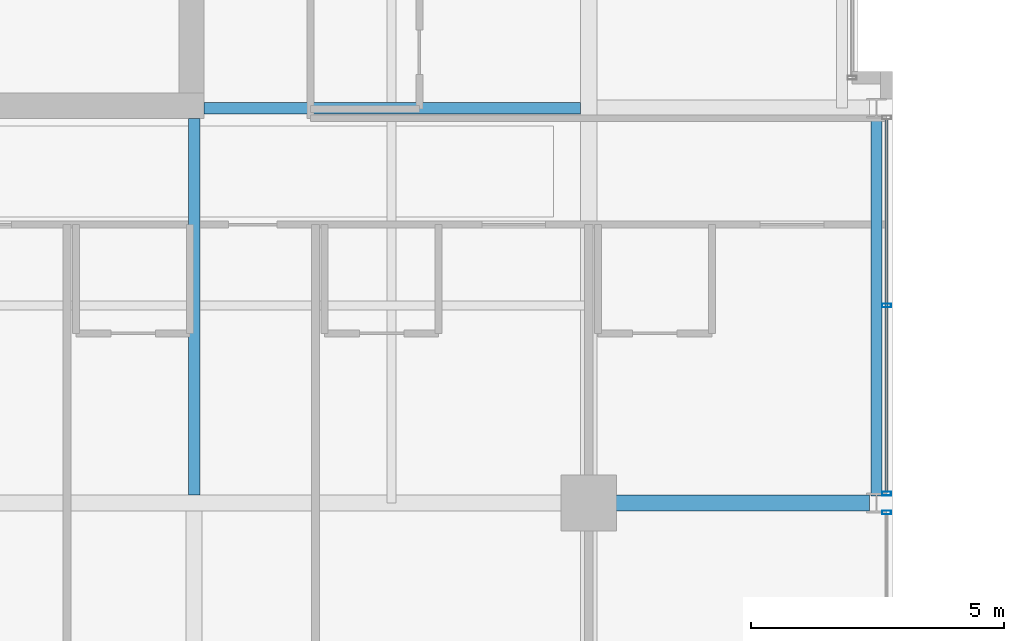
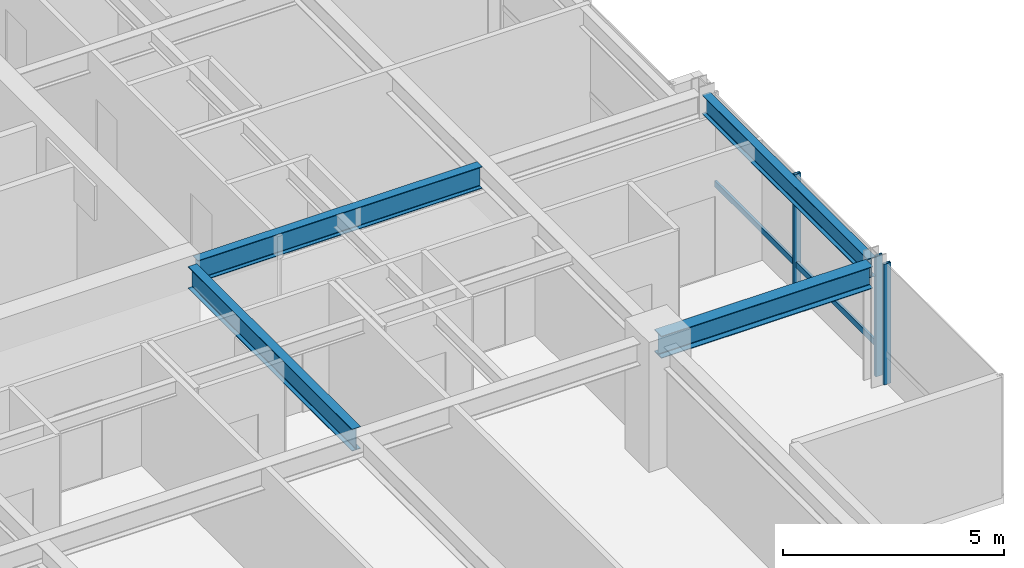
# One storey, part 12 of 32: 4 beams, 4 members, 2 elements without a shape of their own.
"""IFC4 building model written with IfcOpenShell, lengths in metres."""

from ifc_helpers import new_model, si_unit, direction, frame, origin, origin_2d, place, context, subcontext, project, spatial, hollow_rectangle, i_section, extrude, material, layer, layer_set, material_profile, profile_set, type_object, element, aggregate, save


model = new_model("IFC4")

# Units and contexts
model_context = context("Model", 3, precision=1e-05, world=origin(), true_north=direction((0.0, 1.0)))
body_context = subcontext(model_context, "Body", "Model", "MODEL_VIEW")
ifc_project = project(units=[si_unit("LENGTHUNIT", "METRE"), si_unit("AREAUNIT", "SQUARE_METRE"), si_unit("VOLUMEUNIT", "CUBIC_METRE"), si_unit("PLANEANGLEUNIT", "RADIAN"), si_unit("MASSUNIT", "GRAM", prefix="KILO")], contexts=[model_context])

# Site, building, storey
site_placement = place(None, origin())
site = spatial("IfcSite", under=ifc_project, at=site_placement, CompositionType="ELEMENT")
building_placement = place(site_placement, origin())
building = spatial("IfcBuilding", under=site, at=building_placement, Name="Drelvath Grand Hotel", CompositionType="ELEMENT")
storey_placement = place(building_placement, frame((0.0, 0.0, 205.10009765625)))
storey = spatial("IfcBuildingStorey", under=building, at=storey_placement, Name="L53", CompositionType="ELEMENT", Elevation=205.10009765625)

# Curtain wall, member
ifc_material_1 = material(Name="Platinum-Mist Anodised Aluminium Frame", Category="aluminium")
ifc_layer = layer(ifc_material_1, 0.199951171875)
ifc_layer_set = layer_set([ifc_layer], Name="Platinum-Mist Anodised Aluminium Frame")
curtain_wall_type = type_object("IfcCurtainWallType", Name="Stick Curtain Wall CW-05 Platinum Mist High-Rise", PredefinedType="NOTDEFINED", material=ifc_layer_set)
curtain_wall_1_placement = place(storey_placement, origin())
curtain_wall_1 = element("IfcCurtainWall", 1, at=curtain_wall_1_placement, inside=storey, type_object=curtain_wall_type, Name="L53 CW-05 Curtain Wall CW05-L53-ES2", PredefinedType="NOTDEFINED")
ifc_material_profile_1 = material_profile(ifc_material_1, hollow_rectangle(XDim=0.06494140625, YDim=0.159912109375, WallThickness=0.00390625, at=origin_2d()), Name="HSS160X65X4")
ifc_profile_set_1 = profile_set([ifc_material_profile_1], Name="Platinum-Mist Anodised Aluminium Frame")
member_type_1 = type_object("IfcMemberType", Name="Curtain Wall Horizontal Transom CW-05 HSS160X65X4", PredefinedType="USERDEFINED", material=ifc_profile_set_1)
member_1_placement = place(storey_placement, frame((22.080078125, 18.374755859375, 0.8349609375), z_axis=(0.0, -1.0, 0.0), x_axis=(1.0, 0.0, 0.0)))
member_1 = element("IfcMember", 2, at=member_1_placement, type_object=member_type_1, Name="CW05-L53-ES2 Sill Transom", ObjectType="TRANSOM", PredefinedType="USERDEFINED", context=body_context, shape_type="SweptSolid", body=[
    extrude(hollow_rectangle(XDim=0.06494140625, YDim=0.159912109375, WallThickness=0.00390625, at=origin_2d()), origin(), (0.0, 0.0, 1.0), 7.349365234375),
])

curtain_wall_2_placement = place(storey_placement, origin())
curtain_wall_2 = element("IfcCurtainWall", 3, at=curtain_wall_2_placement, inside=storey, type_object=curtain_wall_type, Name="L53 CW-05 Curtain Wall CW05-L53-ES1", PredefinedType="NOTDEFINED")
ifc_material_profile_2 = material_profile(ifc_material_1, hollow_rectangle(XDim=0.074951171875, YDim=0.179931640625, WallThickness=0.0048828125, at=origin_2d()), Name="HSS180X75X5")
ifc_profile_set_2 = profile_set([ifc_material_profile_2], Name="Platinum-Mist Anodised Aluminium Frame")
member_type_2 = type_object("IfcMemberType", Name="Curtain Wall Vertical Mullion CW-05 HSS180X75X5", PredefinedType="MULLION", material=ifc_profile_set_2)
member_2_placement = place(storey_placement, frame((22.080078125, 10.61474609375, 0.0), z_axis=(0.0, 0.0, 1.0), x_axis=(0.0, 1.0, 0.0)))
member_2 = element("IfcMember", 4, at=member_2_placement, type_object=member_type_2, Name="CW05-L53-ES1 Mullion 1", PredefinedType="MULLION", context=body_context, shape_type="SweptSolid", body=[
    extrude(hollow_rectangle(XDim=0.074951171875, YDim=0.179931640625, WallThickness=0.0048828125, at=origin_2d()), origin(), (0.0, 0.0, 1.0), 3.33984375),
])
aggregate(curtain_wall_2, [member_2])

# Member
member_3_placement = place(storey_placement, frame((22.080078125, 14.699951171875, 0.0), z_axis=(0.0, 0.0, 1.0), x_axis=(0.0, 1.0, 0.0)))
member_3 = element("IfcMember", 5, at=member_3_placement, type_object=member_type_2, Name="CW05-L53-ES2 Mullion 2", PredefinedType="MULLION", context=body_context, shape_type="SweptSolid", body=[
    extrude(hollow_rectangle(XDim=0.074951171875, YDim=0.179931640625, WallThickness=0.0048828125, at=origin_2d()), origin(), (0.0, 0.0, 1.0), 3.33984375),
])

member_4_placement = place(storey_placement, frame((22.080078125, 10.9853515625, 0.0), z_axis=(0.0, 0.0, 1.0), x_axis=(0.0, 1.0, 0.0)))
member_4 = element("IfcMember", 6, at=member_4_placement, type_object=member_type_2, Name="CW05-L53-ES2 Mullion 3", PredefinedType="MULLION", context=body_context, shape_type="SweptSolid", body=[
    extrude(hollow_rectangle(XDim=0.074951171875, YDim=0.179931640625, WallThickness=0.0048828125, at=origin_2d()), origin(), (0.0, 0.0, 1.0), 3.33984375),
])

aggregate(curtain_wall_1, [member_3, member_4, member_1])

# Beams
ifc_material_2 = material(Name="Steel ASTM A992 Gr 50", Category="steel")
ifc_material_profile_3 = material_profile(ifc_material_2, i_section(OverallWidth=0.210205078125, OverallDepth=0.53662109375, WebThickness=0.010986328125, FlangeThickness=0.017333984375, FilletRadius=0.01806640625, at=origin_2d()), Name="W21X68")
ifc_profile_set_3 = profile_set([ifc_material_profile_3], Name="Steel ASTM A992 Gr 50")
beam_type_1 = type_object("IfcBeamType", Name="Perimeter Spandrel Beam W21X68", PredefinedType="SPANDREL", material=ifc_profile_set_3)
beam_1_placement = place(storey_placement, frame((21.8798828125, 10.93994140625, 3.071533203125), z_axis=(0.0, 1.0, 0.0), x_axis=(-1.0, 0.0, 0.0)))
element("IfcBeam", 7, at=beam_1_placement, inside=storey, type_object=beam_type_1, Name="L53 Spandrel East S", PredefinedType="SPANDREL", context=body_context, shape_type="SweptSolid", body=[
    extrude(i_section(OverallWidth=0.210205078125, OverallDepth=0.53662109375, WebThickness=0.010986328125, FlangeThickness=0.017333984375, FilletRadius=0.01806640625, at=origin_2d()), origin(), (0.0, 0.0, 1.0), 7.52001953125),
])
ifc_material_profile_4 = material_profile(ifc_material_2, i_section(OverallWidth=0.323974609375, OverallDepth=0.611083984375, WebThickness=0.0126953125, FlangeThickness=0.01904296875, FilletRadius=0.02197265625, at=origin_2d()), Name="W24X104")
ifc_profile_set_4 = profile_set([ifc_material_profile_4], Name="Steel ASTM A992 Gr 50")
beam_type_2 = type_object("IfcBeamType", Name="Primary Floor Girder W24X104", PredefinedType="BEAM", material=ifc_profile_set_4)
beam_2_placement = place(storey_placement, frame((16.199951171875, 10.800048828125, 3.034423828125), z_axis=(1.0, 0.0, 0.0), x_axis=(0.0, 1.0, 0.0)))
element("IfcBeam", 8, at=beam_2_placement, inside=storey, type_object=beam_type_2, Name="L53 East Grid Girder C", PredefinedType="BEAM", context=body_context, shape_type="SweptSolid", body=[
    extrude(i_section(OverallWidth=0.323974609375, OverallDepth=0.611083984375, WebThickness=0.0126953125, FlangeThickness=0.01904296875, FilletRadius=0.02197265625, at=origin_2d()), origin(), (0.0, 0.0, 1.0), 5.5400390625),
])
ifc_material_profile_5 = material_profile(ifc_material_2, i_section(OverallWidth=0.228271484375, OverallDepth=0.607666015625, WebThickness=0.01123046875, FlangeThickness=0.017333984375, FilletRadius=0.02001953125, at=origin_2d()), Name="W24X76")
ifc_profile_set_5 = profile_set([ifc_material_profile_5], Name="Steel ASTM A992 Gr 50")
beam_type_3 = type_object("IfcBeamType", Name="Primary Floor Girder W24X76", PredefinedType="BEAM", material=ifc_profile_set_5)
for number, where, z_axis, x_axis, name in (
    (9, (8.60009765625, 18.60009765625, 3.0361328125), (1.0, 0.0, 0.0), (0.0, 1.0, 0.0), "L53 East Core Tie D"),
    (10, (8.39990234375, 10.9619140625, 3.0361328125), (0.0, 1.0, 0.0), (-1.0, 0.0, 0.0), "L53 South Core Tie 6"),
):
    element("IfcBeam", number, at=place(storey_placement, frame(where, z_axis=z_axis, x_axis=x_axis)), inside=storey, type_object=beam_type_3, Name=name, PredefinedType="BEAM", context=body_context, shape_type="SweptSolid", body=[
        extrude(i_section(OverallWidth=0.228271484375, OverallDepth=0.607666015625, WebThickness=0.01123046875, FlangeThickness=0.017333984375, FilletRadius=0.02001953125, at=origin_2d()), origin(), (0.0, 0.0, 1.0), 7.43798828125),
    ])

save(model, "model.ifc")
